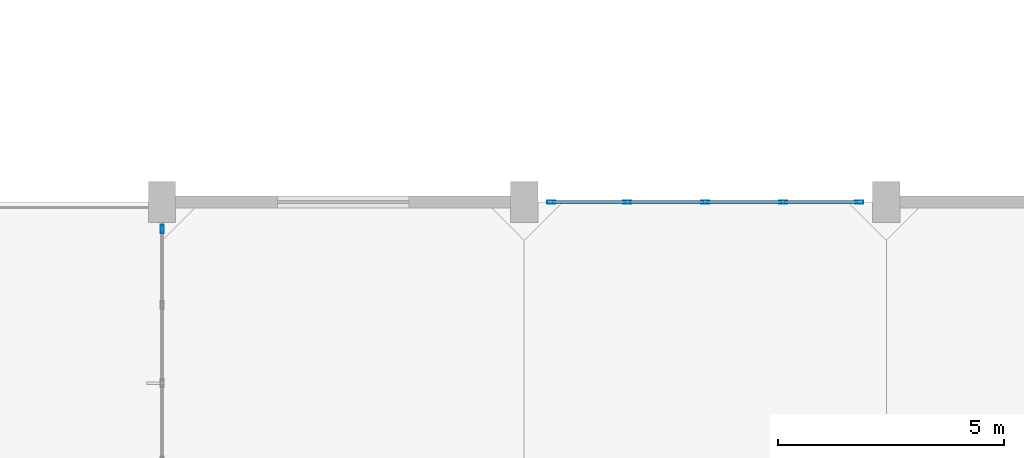
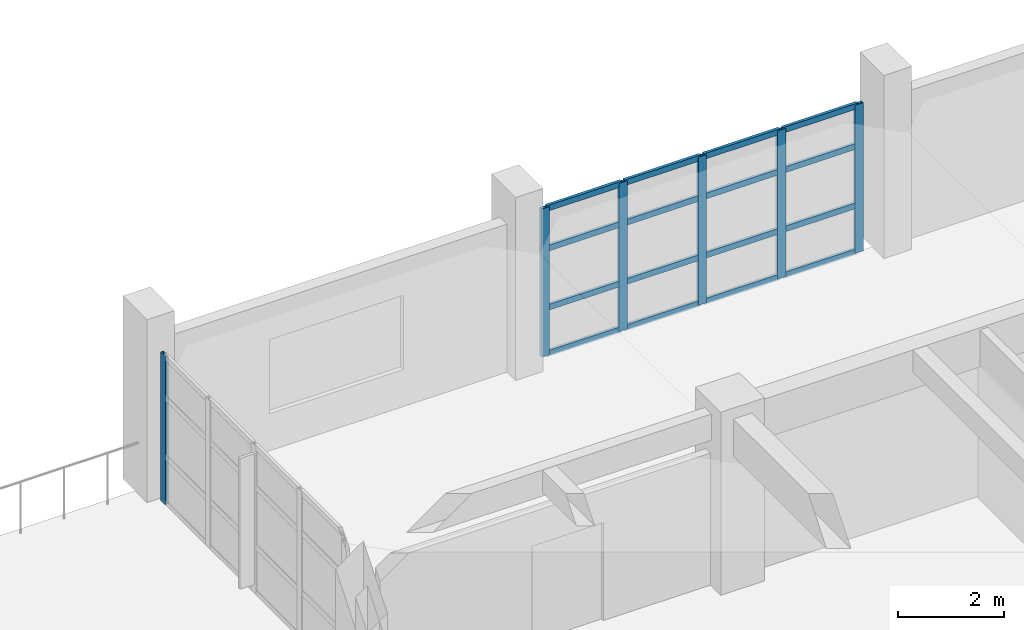
# One storey, part 11 of 35: 22 members, 2 elements without a shape of their own.
"""IFC4 building model written with IfcOpenShell, lengths in metres."""

from ifc_helpers import new_model, si_unit, direction, frame, origin, origin_2d, place, context, subcontext, project, spatial, hollow_rectangle, extrude, material, layer, layer_set, material_profile, profile_set, type_object, element, aggregate, save


model = new_model("IFC4")

# Units and contexts
model_context = context("Model", 3, precision=1e-05, world=origin(), true_north=direction((0.0, 1.0)))
body_context = subcontext(model_context, "Body", "Model", "MODEL_VIEW")
ifc_project = project(units=[si_unit("LENGTHUNIT", "METRE"), si_unit("AREAUNIT", "SQUARE_METRE"), si_unit("VOLUMEUNIT", "CUBIC_METRE"), si_unit("PLANEANGLEUNIT", "RADIAN"), si_unit("MASSUNIT", "GRAM", prefix="KILO")], contexts=[model_context])

# Site, building, storey
site_placement = place(None, origin())
site = spatial("IfcSite", under=ifc_project, at=site_placement, CompositionType="ELEMENT")
building_placement = place(site_placement, origin())
building = spatial("IfcBuilding", under=site, at=building_placement, Name="Canggui Botanical Conservatory", CompositionType="ELEMENT")
storey_placement = place(building_placement, frame((0.0, 0.0, 15.0)))
storey = spatial("IfcBuildingStorey", under=building, at=storey_placement, Name="L04", CompositionType="ELEMENT", Elevation=15.0)

# Curtain wall, member
ifc_material = material(Name="Thermally Broken Aluminium", Category="aluminium")
ifc_layer = layer(ifc_material, 0.179931640625, Name="Thermally Broken Aluminium", Category="aluminium")
ifc_layer_set = layer_set([ifc_layer], Name="Thermally Broken Aluminium")
curtain_wall_type = type_object("IfcCurtainWallType", Name="CW-UNIT-A", PredefinedType="USERDEFINED", material=ifc_layer_set)
curtain_wall_1_placement = place(storey_placement, origin())
curtain_wall_1 = element("IfcCurtainWall", 1, at=curtain_wall_1_placement, inside=storey, type_object=curtain_wall_type, Name="Facade Curtain Wall CW-TWR-L04-12", ObjectType="UNITISED CURTAIN WALL", PredefinedType="USERDEFINED")
ifc_material_profile_1 = material_profile(ifc_material, hollow_rectangle(XDim=0.070068359375, YDim=0.179931640625, WallThickness=0.00390625, at=origin_2d()), Name="CWM 70x180x4")
ifc_profile_set_1 = profile_set([ifc_material_profile_1], Name="Thermally Broken Aluminium")
member_type_1 = type_object("IfcMemberType", Name="CWM-01", PredefinedType="MULLION", material=ifc_profile_set_1)
member_1_placement = place(storey_placement, frame((138.0, 81.405029296875, 0.0), z_axis=(0.0, 0.0, 1.0), x_axis=(-1.0, 0.0, 0.0)))
member_1 = element("IfcMember", 2, at=member_1_placement, type_object=member_type_1, Name="CW-01 mullion 5", PredefinedType="MULLION", context=body_context, shape_type="SweptSolid", body=[
    extrude(hollow_rectangle(XDim=0.070068359375, YDim=0.179931640625, WallThickness=0.00390625, at=origin_2d()), origin(), (0.0, 0.0, 1.0), 3.39990234375),
])
aggregate(curtain_wall_1, [member_1])

# Curtain wall, members
curtain_wall_2_placement = place(storey_placement, origin())
curtain_wall_2 = element("IfcCurtainWall", 3, at=curtain_wall_2_placement, inside=storey, type_object=curtain_wall_type, Name="Facade Curtain Wall CW-TWR-L04-14", ObjectType="UNITISED CURTAIN WALL", PredefinedType="USERDEFINED")
member_2_placement = place(storey_placement, frame((146.594970703125, 82.0, 0.0), z_axis=(0.0, 0.0, 1.0), x_axis=(0.0, 1.0, 0.0)))
member_2 = element("IfcMember", 4, at=member_2_placement, type_object=member_type_1, Name="CW-01 mullion 1", PredefinedType="MULLION", context=body_context, shape_type="SweptSolid", body=[
    extrude(hollow_rectangle(XDim=0.070068359375, YDim=0.179931640625, WallThickness=0.00390625, at=origin_2d()), origin(), (0.0, 0.0, 1.0), 3.39990234375),
])
member_3_placement = place(storey_placement, frame((148.280029296875, 82.0, 0.0), z_axis=(0.0, 0.0, 1.0), x_axis=(0.0, 1.0, 0.0)))
member_3 = element("IfcMember", 5, at=member_3_placement, type_object=member_type_1, Name="CW-01 mullion 2", PredefinedType="MULLION", context=body_context, shape_type="SweptSolid", body=[
    extrude(hollow_rectangle(XDim=0.070068359375, YDim=0.179931640625, WallThickness=0.00390625, at=origin_2d()), origin(), (0.0, 0.0, 1.0), 3.39990234375),
])
member_4_placement = place(storey_placement, frame((150.0, 82.0, 0.0), z_axis=(0.0, 0.0, 1.0), x_axis=(0.0, 1.0, 0.0)))
member_4 = element("IfcMember", 6, at=member_4_placement, type_object=member_type_1, Name="CW-01 mullion 3", PredefinedType="MULLION", context=body_context, shape_type="SweptSolid", body=[
    extrude(hollow_rectangle(XDim=0.070068359375, YDim=0.179931640625, WallThickness=0.00390625, at=origin_2d()), origin(), (0.0, 0.0, 1.0), 3.39990234375),
])
member_5_placement = place(storey_placement, frame((151.719970703125, 82.0, 0.0), z_axis=(0.0, 0.0, 1.0), x_axis=(0.0, 1.0, 0.0)))
member_5 = element("IfcMember", 7, at=member_5_placement, type_object=member_type_1, Name="CW-01 mullion 4", PredefinedType="MULLION", context=body_context, shape_type="SweptSolid", body=[
    extrude(hollow_rectangle(XDim=0.070068359375, YDim=0.179931640625, WallThickness=0.00390625, at=origin_2d()), origin(), (0.0, 0.0, 1.0), 3.39990234375),
])
member_6_placement = place(storey_placement, frame((153.405029296875, 82.0, 0.0), z_axis=(0.0, 0.0, 1.0), x_axis=(0.0, 1.0, 0.0)))
member_6 = element("IfcMember", 8, at=member_6_placement, type_object=member_type_1, Name="CW-01 mullion 5", PredefinedType="MULLION", context=body_context, shape_type="SweptSolid", body=[
    extrude(hollow_rectangle(XDim=0.070068359375, YDim=0.179931640625, WallThickness=0.00390625, at=origin_2d()), origin(), (0.0, 0.0, 1.0), 3.39990234375),
])
ifc_material_profile_2 = material_profile(ifc_material, hollow_rectangle(XDim=0.06494140625, YDim=0.1298828125, WallThickness=0.00341796875, at=origin_2d()), Name="CWT 65x130x3.5")
ifc_profile_set_2 = profile_set([ifc_material_profile_2], Name="Thermally Broken Aluminium")
member_type_2 = type_object("IfcMemberType", Name="CWT-01", PredefinedType="USERDEFINED", material=ifc_profile_set_2)
member_7_placement = place(storey_placement, frame((146.6298828125, 82.0, 0.032470703125), z_axis=(1.0, 0.0, 0.0), x_axis=(0.0, 1.0, 0.0)))
member_7 = element("IfcMember", 9, at=member_7_placement, type_object=member_type_2, Name="CW-01 transom 1.1", ObjectType="TRANSOM", PredefinedType="USERDEFINED", context=body_context, shape_type="SweptSolid", body=[
    extrude(hollow_rectangle(XDim=0.06494140625, YDim=0.1298828125, WallThickness=0.00341796875, at=origin_2d()), origin(), (0.0, 0.0, 1.0), 1.615234375),
])
member_8_placement = place(storey_placement, frame((146.6298828125, 82.0, 1.087890625), z_axis=(1.0, 0.0, 0.0), x_axis=(0.0, 1.0, 0.0)))
member_8 = element("IfcMember", 10, at=member_8_placement, type_object=member_type_2, Name="CW-01 transom 1.2", ObjectType="TRANSOM", PredefinedType="USERDEFINED", context=body_context, shape_type="SweptSolid", body=[
    extrude(hollow_rectangle(XDim=0.06494140625, YDim=0.1298828125, WallThickness=0.00341796875, at=origin_2d()), origin(), (0.0, 0.0, 1.0), 1.615234375),
])
member_9_placement = place(storey_placement, frame((146.6298828125, 82.0, 2.447998046875), z_axis=(1.0, 0.0, 0.0), x_axis=(0.0, 1.0, 0.0)))
member_9 = element("IfcMember", 11, at=member_9_placement, type_object=member_type_2, Name="CW-01 transom 1.3", ObjectType="TRANSOM", PredefinedType="USERDEFINED", context=body_context, shape_type="SweptSolid", body=[
    extrude(hollow_rectangle(XDim=0.06494140625, YDim=0.1298828125, WallThickness=0.00341796875, at=origin_2d()), origin(), (0.0, 0.0, 1.0), 1.615234375),
])
member_10_placement = place(storey_placement, frame((146.6298828125, 82.0, 3.367431640625), z_axis=(1.0, 0.0, 0.0), x_axis=(0.0, 1.0, 0.0)))
member_10 = element("IfcMember", 12, at=member_10_placement, type_object=member_type_2, Name="CW-01 transom 1.4", ObjectType="TRANSOM", PredefinedType="USERDEFINED", context=body_context, shape_type="SweptSolid", body=[
    extrude(hollow_rectangle(XDim=0.06494140625, YDim=0.1298828125, WallThickness=0.00341796875, at=origin_2d()), origin(), (0.0, 0.0, 1.0), 1.615234375),
])
member_11_placement = place(storey_placement, frame((148.31494140625, 82.0, 0.032470703125), z_axis=(1.0, 0.0, 0.0), x_axis=(0.0, 1.0, 0.0)))
member_11 = element("IfcMember", 13, at=member_11_placement, type_object=member_type_2, Name="CW-01 transom 2.1", ObjectType="TRANSOM", PredefinedType="USERDEFINED", context=body_context, shape_type="SweptSolid", body=[
    extrude(hollow_rectangle(XDim=0.06494140625, YDim=0.1298828125, WallThickness=0.00341796875, at=origin_2d()), origin(), (0.0, 0.0, 1.0), 1.650146484375),
])
member_12_placement = place(storey_placement, frame((148.31494140625, 82.0, 1.087890625), z_axis=(1.0, 0.0, 0.0), x_axis=(0.0, 1.0, 0.0)))
member_12 = element("IfcMember", 14, at=member_12_placement, type_object=member_type_2, Name="CW-01 transom 2.2", ObjectType="TRANSOM", PredefinedType="USERDEFINED", context=body_context, shape_type="SweptSolid", body=[
    extrude(hollow_rectangle(XDim=0.06494140625, YDim=0.1298828125, WallThickness=0.00341796875, at=origin_2d()), origin(), (0.0, 0.0, 1.0), 1.650146484375),
])
member_13_placement = place(storey_placement, frame((148.31494140625, 82.0, 2.447998046875), z_axis=(1.0, 0.0, 0.0), x_axis=(0.0, 1.0, 0.0)))
member_13 = element("IfcMember", 15, at=member_13_placement, type_object=member_type_2, Name="CW-01 transom 2.3", ObjectType="TRANSOM", PredefinedType="USERDEFINED", context=body_context, shape_type="SweptSolid", body=[
    extrude(hollow_rectangle(XDim=0.06494140625, YDim=0.1298828125, WallThickness=0.00341796875, at=origin_2d()), origin(), (0.0, 0.0, 1.0), 1.650146484375),
])
member_14_placement = place(storey_placement, frame((148.31494140625, 82.0, 3.367431640625), z_axis=(1.0, 0.0, 0.0), x_axis=(0.0, 1.0, 0.0)))
member_14 = element("IfcMember", 16, at=member_14_placement, type_object=member_type_2, Name="CW-01 transom 2.4", ObjectType="TRANSOM", PredefinedType="USERDEFINED", context=body_context, shape_type="SweptSolid", body=[
    extrude(hollow_rectangle(XDim=0.06494140625, YDim=0.1298828125, WallThickness=0.00341796875, at=origin_2d()), origin(), (0.0, 0.0, 1.0), 1.650146484375),
])
member_15_placement = place(storey_placement, frame((150.034912109375, 82.0, 0.032470703125), z_axis=(1.0, 0.0, 0.0), x_axis=(0.0, 1.0, 0.0)))
member_15 = element("IfcMember", 17, at=member_15_placement, type_object=member_type_2, Name="CW-01 transom 3.1", ObjectType="TRANSOM", PredefinedType="USERDEFINED", context=body_context, shape_type="SweptSolid", body=[
    extrude(hollow_rectangle(XDim=0.06494140625, YDim=0.1298828125, WallThickness=0.00341796875, at=origin_2d()), origin(), (0.0, 0.0, 1.0), 1.650146484375),
])
member_16_placement = place(storey_placement, frame((150.034912109375, 82.0, 1.087890625), z_axis=(1.0, 0.0, 0.0), x_axis=(0.0, 1.0, 0.0)))
member_16 = element("IfcMember", 18, at=member_16_placement, type_object=member_type_2, Name="CW-01 transom 3.2", ObjectType="TRANSOM", PredefinedType="USERDEFINED", context=body_context, shape_type="SweptSolid", body=[
    extrude(hollow_rectangle(XDim=0.06494140625, YDim=0.1298828125, WallThickness=0.00341796875, at=origin_2d()), origin(), (0.0, 0.0, 1.0), 1.650146484375),
])
member_17_placement = place(storey_placement, frame((150.034912109375, 82.0, 2.447998046875), z_axis=(1.0, 0.0, 0.0), x_axis=(0.0, 1.0, 0.0)))
member_17 = element("IfcMember", 19, at=member_17_placement, type_object=member_type_2, Name="CW-01 transom 3.3", ObjectType="TRANSOM", PredefinedType="USERDEFINED", context=body_context, shape_type="SweptSolid", body=[
    extrude(hollow_rectangle(XDim=0.06494140625, YDim=0.1298828125, WallThickness=0.00341796875, at=origin_2d()), origin(), (0.0, 0.0, 1.0), 1.650146484375),
])
member_18_placement = place(storey_placement, frame((150.034912109375, 82.0, 3.367431640625), z_axis=(1.0, 0.0, 0.0), x_axis=(0.0, 1.0, 0.0)))
member_18 = element("IfcMember", 20, at=member_18_placement, type_object=member_type_2, Name="CW-01 transom 3.4", ObjectType="TRANSOM", PredefinedType="USERDEFINED", context=body_context, shape_type="SweptSolid", body=[
    extrude(hollow_rectangle(XDim=0.06494140625, YDim=0.1298828125, WallThickness=0.00341796875, at=origin_2d()), origin(), (0.0, 0.0, 1.0), 1.650146484375),
])
member_19_placement = place(storey_placement, frame((151.7548828125, 82.0, 0.032470703125), z_axis=(1.0, 0.0, 0.0), x_axis=(0.0, 1.0, 0.0)))
member_19 = element("IfcMember", 21, at=member_19_placement, type_object=member_type_2, Name="CW-01 transom 4.1", ObjectType="TRANSOM", PredefinedType="USERDEFINED", context=body_context, shape_type="SweptSolid", body=[
    extrude(hollow_rectangle(XDim=0.06494140625, YDim=0.1298828125, WallThickness=0.00341796875, at=origin_2d()), origin(), (0.0, 0.0, 1.0), 1.615234375),
])
member_20_placement = place(storey_placement, frame((151.7548828125, 82.0, 1.087890625), z_axis=(1.0, 0.0, 0.0), x_axis=(0.0, 1.0, 0.0)))
member_20 = element("IfcMember", 22, at=member_20_placement, type_object=member_type_2, Name="CW-01 transom 4.2", ObjectType="TRANSOM", PredefinedType="USERDEFINED", context=body_context, shape_type="SweptSolid", body=[
    extrude(hollow_rectangle(XDim=0.06494140625, YDim=0.1298828125, WallThickness=0.00341796875, at=origin_2d()), origin(), (0.0, 0.0, 1.0), 1.615234375),
])
member_21_placement = place(storey_placement, frame((151.7548828125, 82.0, 2.447998046875), z_axis=(1.0, 0.0, 0.0), x_axis=(0.0, 1.0, 0.0)))
member_21 = element("IfcMember", 23, at=member_21_placement, type_object=member_type_2, Name="CW-01 transom 4.3", ObjectType="TRANSOM", PredefinedType="USERDEFINED", context=body_context, shape_type="SweptSolid", body=[
    extrude(hollow_rectangle(XDim=0.06494140625, YDim=0.1298828125, WallThickness=0.00341796875, at=origin_2d()), origin(), (0.0, 0.0, 1.0), 1.615234375),
])
member_22_placement = place(storey_placement, frame((151.7548828125, 82.0, 3.367431640625), z_axis=(1.0, 0.0, 0.0), x_axis=(0.0, 1.0, 0.0)))
member_22 = element("IfcMember", 24, at=member_22_placement, type_object=member_type_2, Name="CW-01 transom 4.4", ObjectType="TRANSOM", PredefinedType="USERDEFINED", context=body_context, shape_type="SweptSolid", body=[
    extrude(hollow_rectangle(XDim=0.06494140625, YDim=0.1298828125, WallThickness=0.00341796875, at=origin_2d()), origin(), (0.0, 0.0, 1.0), 1.615234375),
])
aggregate(curtain_wall_2, [member_2, member_3, member_4, member_5, member_6, member_7, member_8, member_9, member_10, member_11, member_12, member_13, member_14, member_15, member_16, member_17, member_18, member_19, member_20, member_21, member_22])

save(model, "model.ifc")
